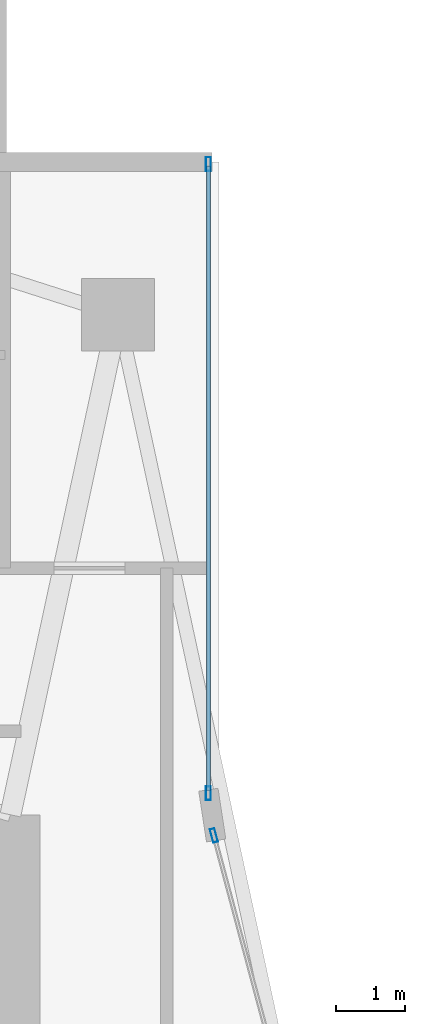
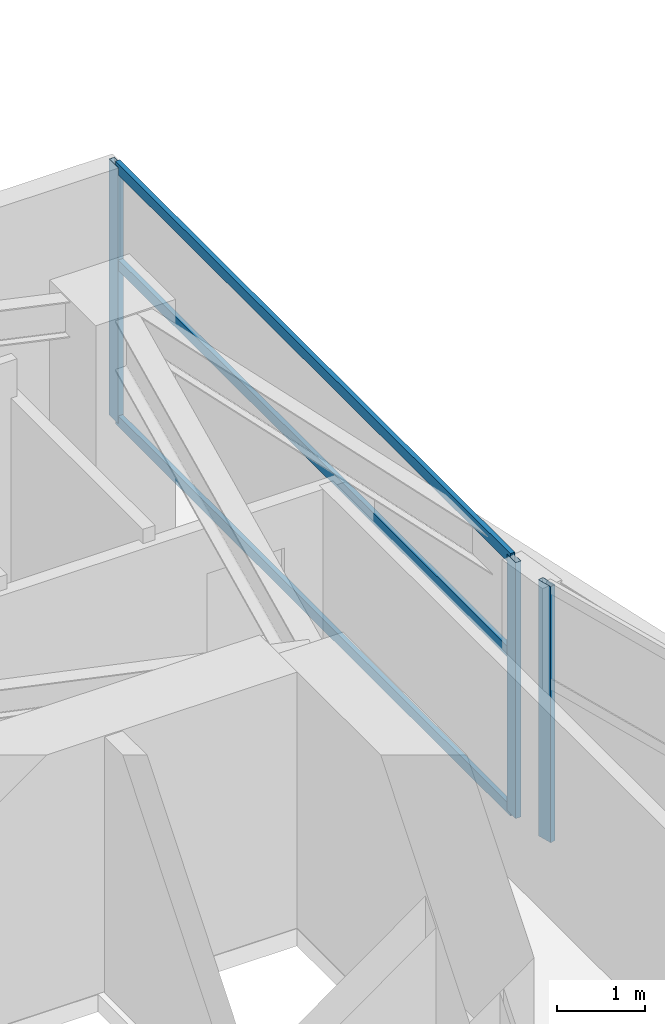
# One storey, part 18 of 29: 6 members, 2 elements without a shape of their own.
"""IFC4 building model written with IfcOpenShell, lengths in metres."""

from ifc_helpers import new_model, si_unit, direction, frame, origin, origin_2d, place, context, subcontext, project, spatial, hollow_rectangle, extrude, material, layer, layer_set, material_profile, profile_set, type_object, element, aggregate, save


model = new_model("IFC4")

# Units and contexts
model_context = context("Model", 3, precision=1e-05, world=origin(), true_north=direction((0.0, 1.0)))
body_context = subcontext(model_context, "Body", "Model", "MODEL_VIEW")
ifc_project = project(units=[si_unit("LENGTHUNIT", "METRE"), si_unit("AREAUNIT", "SQUARE_METRE"), si_unit("VOLUMEUNIT", "CUBIC_METRE"), si_unit("PLANEANGLEUNIT", "RADIAN"), si_unit("MASSUNIT", "GRAM", prefix="KILO")], contexts=[model_context])

# Site, building, storey
site_placement = place(None, origin())
site = spatial("IfcSite", under=ifc_project, at=site_placement, CompositionType="ELEMENT")
building_placement = place(site_placement, origin())
building = spatial("IfcBuilding", under=site, at=building_placement, Name="Calvorn Quay Hotel", CompositionType="ELEMENT")
storey_placement = place(building_placement, frame((0.0, 0.0, 120.199951171875)))
storey = spatial("IfcBuildingStorey", under=building, at=storey_placement, Name="L29", CompositionType="ELEMENT", Elevation=120.199951171875)

# Curtain wall, member
ifc_material_1 = material(Name="Pale Anodised Aluminium and Low-E Glass", Category="aluminium")
ifc_layer = layer(ifc_material_1, 0.219970703125)
ifc_layer_set = layer_set([ifc_layer], Name="CW-SYS-Z2")
curtain_wall_type = type_object("IfcCurtainWallType", Name="CW-SYS-Z2", PredefinedType="NOTDEFINED", material=ifc_layer_set)
curtain_wall_1_placement = place(storey_placement, origin())
curtain_wall_1 = element("IfcCurtainWall", 1, at=curtain_wall_1_placement, inside=storey, type_object=curtain_wall_type, Name="Inner Court Curtain Wall L29-IC1", PredefinedType="NOTDEFINED")
ifc_material_2 = material(Name="Pale Anodised Aluminium 6063-T6", Category="aluminium")
ifc_material_profile_1 = material_profile(ifc_material_2, hollow_rectangle(XDim=0.070068359375, YDim=0.199951171875, WallThickness=0.00390625, at=origin_2d()), Name="ALU-M200x70x4")
ifc_profile_set_1 = profile_set([ifc_material_profile_1], Name="Pale Anodised Aluminium 6063-T6")
member_type_1 = type_object("IfcMemberType", Name="CW-SYS-Z2-MUL", PredefinedType="MULLION", material=ifc_profile_set_1)
member_1_placement = place(storey_placement, frame((17.9296875, 38.10107421875, 0.0), z_axis=(0.0, 0.0, 1.0), x_axis=(-0.96593652056, -0.25877913024, 0.0)))
member_1 = element("IfcMember", 2, at=member_1_placement, type_object=member_type_1, Name="CW-L29-IC1 mullion 2", PredefinedType="MULLION", context=body_context, shape_type="SweptSolid", body=[
    extrude(hollow_rectangle(XDim=0.070068359375, YDim=0.199951171875, WallThickness=0.00390625, at=origin_2d()), origin(), (0.0, 0.0, 1.0), 3.56005859375),
])
aggregate(curtain_wall_1, [member_1])

# Curtain wall, members
curtain_wall_2_placement = place(storey_placement, origin())
curtain_wall_2 = element("IfcCurtainWall", 3, at=curtain_wall_2_placement, inside=storey, type_object=curtain_wall_type, Name="Inner Court Curtain Wall L29-IC2", PredefinedType="NOTDEFINED")
member_2_placement = place(storey_placement, frame((17.85009765625, 38.7099609375, 0.0), z_axis=(0.0, 0.0, 1.0), x_axis=(-1.0, 0.0, 0.0)))
member_2 = element("IfcMember", 4, at=member_2_placement, type_object=member_type_1, Name="CW-L29-IC2 mullion 1", PredefinedType="MULLION", context=body_context, shape_type="SweptSolid", body=[
    extrude(hollow_rectangle(XDim=0.070068359375, YDim=0.199951171875, WallThickness=0.00390625, at=origin_2d()), origin(), (0.0, 0.0, 1.0), 3.56005859375),
])
member_3_placement = place(storey_placement, frame((17.85009765625, 47.77001953125, 0.0), z_axis=(0.0, 0.0, 1.0), x_axis=(-1.0, 0.0, 0.0)))
member_3 = element("IfcMember", 5, at=member_3_placement, type_object=member_type_1, Name="CW-L29-IC2 mullion 2", PredefinedType="MULLION", context=body_context, shape_type="SweptSolid", body=[
    extrude(hollow_rectangle(XDim=0.070068359375, YDim=0.199951171875, WallThickness=0.00390625, at=origin_2d()), origin(), (0.0, 0.0, 1.0), 3.56005859375),
])
ifc_material_3 = material(Name="Pale Anodised Aluminium 6063-T6", Category="aluminium")
ifc_material_profile_2 = material_profile(ifc_material_3, hollow_rectangle(XDim=0.06005859375, YDim=0.14990234375, WallThickness=0.00341796875, at=origin_2d()), Name="ALU-T150x60x3.5")
ifc_profile_set_2 = profile_set([ifc_material_profile_2], Name="Pale Anodised Aluminium 6063-T6")
member_type_2 = type_object("IfcMemberType", Name="CW-SYS-Z2-TRN", PredefinedType="USERDEFINED", material=ifc_profile_set_2)
member_4_placement = place(storey_placement, frame((17.85009765625, 38.739990234375, 0.030029296875), z_axis=(0.0, 1.0, 0.0), x_axis=(-1.0, 0.0, 0.0)))
member_4 = element("IfcMember", 6, at=member_4_placement, type_object=member_type_2, Name="CW-L29-IC2 transom 1.1", ObjectType="TRANSOM", PredefinedType="USERDEFINED", context=body_context, shape_type="SweptSolid", body=[
    extrude(hollow_rectangle(XDim=0.06005859375, YDim=0.14990234375, WallThickness=0.00341796875, at=origin_2d()), origin(), (0.0, 0.0, 1.0), 9.0),
])
member_5_placement = place(storey_placement, frame((17.85009765625, 38.739990234375, 2.199951171875), z_axis=(0.0, 1.0, 0.0), x_axis=(-1.0, 0.0, 0.0)))
member_5 = element("IfcMember", 7, at=member_5_placement, type_object=member_type_2, Name="CW-L29-IC2 transom 1.2", ObjectType="TRANSOM", PredefinedType="USERDEFINED", context=body_context, shape_type="SweptSolid", body=[
    extrude(hollow_rectangle(XDim=0.06005859375, YDim=0.14990234375, WallThickness=0.00341796875, at=origin_2d()), origin(), (0.0, 0.0, 1.0), 9.0),
])
member_6_placement = place(storey_placement, frame((17.85009765625, 38.739990234375, 3.530029296875), z_axis=(0.0, 1.0, 0.0), x_axis=(-1.0, 0.0, 0.0)))
member_6 = element("IfcMember", 8, at=member_6_placement, type_object=member_type_2, Name="CW-L29-IC2 transom 1.3", ObjectType="TRANSOM", PredefinedType="USERDEFINED", context=body_context, shape_type="SweptSolid", body=[
    extrude(hollow_rectangle(XDim=0.06005859375, YDim=0.14990234375, WallThickness=0.00341796875, at=origin_2d()), origin(), (0.0, 0.0, 1.0), 9.0),
])
aggregate(curtain_wall_2, [member_2, member_3, member_4, member_5, member_6])

save(model, "model.ifc")
